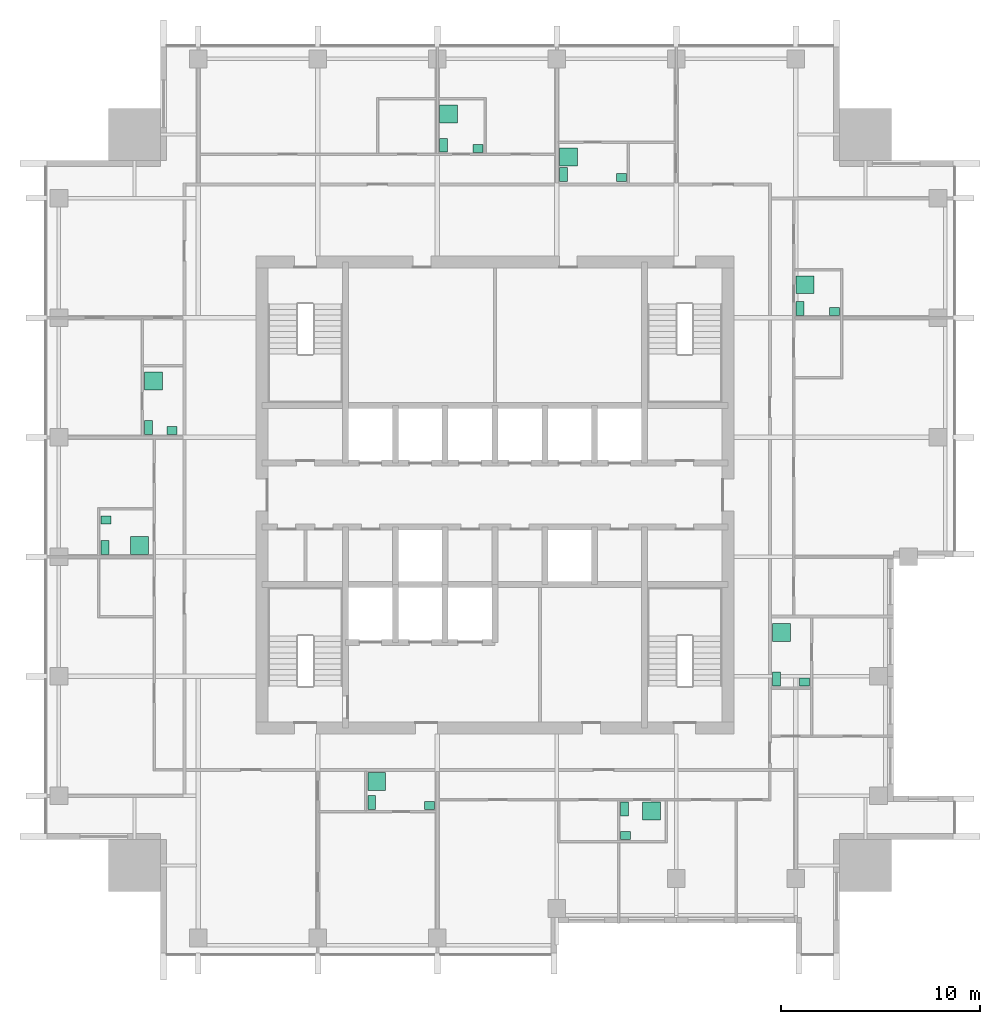
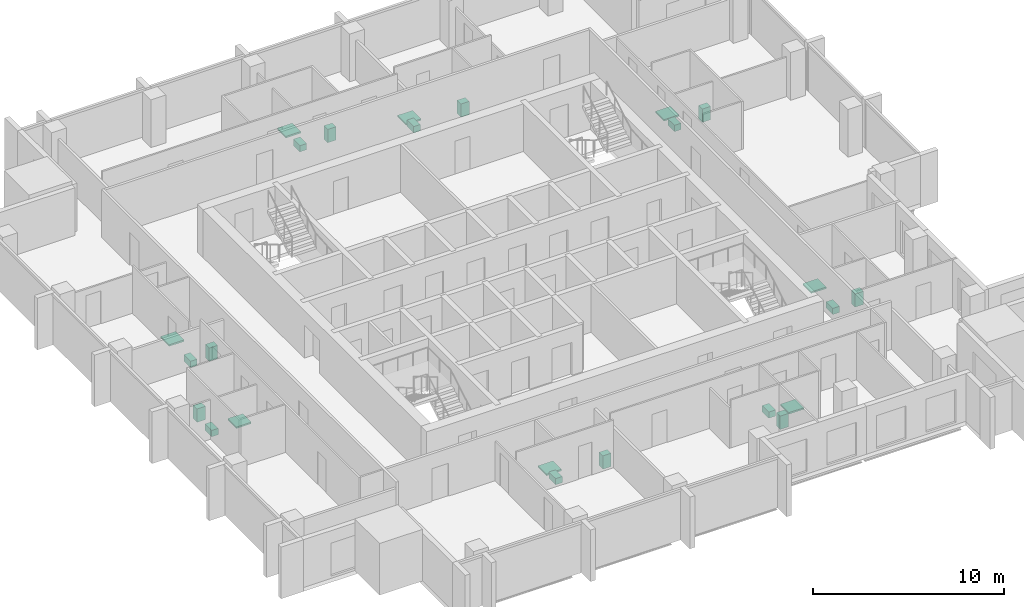
# One storey, part 10 of 10: 24 sanitary terminals.
"""IFC4 building model written with IfcOpenShell, lengths in metres."""

from ifc_helpers import new_model, si_unit, direction, frame, origin, origin_2d, place, context, subcontext, project, spatial, rectangle, extrude, element, save


model = new_model("IFC4")

# Units and contexts
model_context = context("Model", 3, precision=1e-05, world=origin(), true_north=direction((0.0, 1.0)))
body_context = subcontext(model_context, "Body", "Model", "MODEL_VIEW")
ifc_project = project(units=[si_unit("LENGTHUNIT", "METRE"), si_unit("AREAUNIT", "SQUARE_METRE"), si_unit("VOLUMEUNIT", "CUBIC_METRE"), si_unit("PLANEANGLEUNIT", "RADIAN"), si_unit("MASSUNIT", "GRAM", prefix="KILO")], contexts=[model_context])

# Site, building, storey
site_placement = place(None, origin())
site = spatial("IfcSite", under=ifc_project, at=site_placement, CompositionType="ELEMENT")
building_placement = place(site_placement, origin())
building = spatial("IfcBuilding", under=site, at=building_placement, Name="Amberfall Residences", CompositionType="ELEMENT")
storey_placement = place(building_placement, frame((0.0, 0.0, 213.39990234375)))
storey = spatial("IfcBuildingStorey", under=building, at=storey_placement, Name="L57", CompositionType="ELEMENT", Elevation=213.39990234375)

# Sanitary terminals
sanitary_terminal_1_placement = place(storey_placement, frame((68.31005859375, 30.06005859375, 0.000244140625), z_axis=(0.0, 0.0, 1.0), x_axis=(1.0, 0.0, 0.0)))
element("IfcSanitaryTerminal", 1, at=sanitary_terminal_1_placement, inside=storey, Name="Water closet 5701", PredefinedType="TOILETPAN", context=body_context, shape_type="SweptSolid", body=[
    extrude(rectangle(XDim=0.39990234375, YDim=0.699951171875, at=origin_2d()), origin(), (0.0, 0.0, 1.0), 0.39990234375),
])
sanitary_terminal_2_placement = place(storey_placement, frame((71.215087890625, 29.909912109375, 0.0), z_axis=(0.0, 0.0, 1.0), x_axis=(1.0, 0.0, 0.0)))
element("IfcSanitaryTerminal", 2, at=sanitary_terminal_2_placement, inside=storey, Name="Basin 5701", PredefinedType="WASHHANDBASIN", context=body_context, shape_type="SweptSolid", body=[
    extrude(rectangle(XDim=0.5, YDim=0.39990234375, at=origin_2d()), origin(), (0.0, 0.0, 1.0), 0.85009765625),
])
sanitary_terminal_3_placement = place(storey_placement, frame((68.56005859375, 31.114990234375, 0.0), z_axis=(0.0, 0.0, 1.0), x_axis=(1.0, 0.0, 0.0)))
element("IfcSanitaryTerminal", 3, at=sanitary_terminal_3_placement, inside=storey, Name="Shower tray 5701", PredefinedType="SHOWER", context=body_context, shape_type="SweptSolid", body=[
    extrude(rectangle(XDim=0.89990234375, YDim=0.89990234375, at=origin_2d()), origin(), (0.0, 0.0, 1.0), 0.10009765625),
])
sanitary_terminal_4_placement = place(storey_placement, frame((81.010009765625, 29.739990234375, 0.000244140625), z_axis=(0.0, 0.0, 1.0), x_axis=(1.0, 0.0, 0.0)))
element("IfcSanitaryTerminal", 4, at=sanitary_terminal_4_placement, inside=storey, Name="Water closet 5702", PredefinedType="TOILETPAN", context=body_context, shape_type="SweptSolid", body=[
    extrude(rectangle(XDim=0.39990234375, YDim=0.699951171875, at=origin_2d()), origin(), (0.0, 0.0, 1.0), 0.39990234375),
])
sanitary_terminal_5_placement = place(storey_placement, frame((81.06005859375, 28.409912109375, 0.0), z_axis=(0.0, 0.0, 1.0), x_axis=(1.0, 0.0, 0.0)))
element("IfcSanitaryTerminal", 5, at=sanitary_terminal_5_placement, inside=storey, Name="Basin 5702", PredefinedType="WASHHANDBASIN", context=body_context, shape_type="SweptSolid", body=[
    extrude(rectangle(XDim=0.5, YDim=0.39990234375, at=origin_2d()), origin(), (0.0, 0.0, 1.0), 0.85009765625),
])
sanitary_terminal_6_placement = place(storey_placement, frame((82.357177734375, 29.639892578125, 0.0), z_axis=(0.0, 0.0, 1.0), x_axis=(1.0, 0.0, 0.0)))
element("IfcSanitaryTerminal", 6, at=sanitary_terminal_6_placement, inside=storey, Name="Shower tray 5702", PredefinedType="SHOWER", context=body_context, shape_type="SweptSolid", body=[
    extrude(rectangle(XDim=0.89990234375, YDim=0.89990234375, at=origin_2d()), origin(), (0.0, 0.0, 1.0), 0.10009765625),
])
sanitary_terminal_7_placement = place(storey_placement, frame((88.635009765625, 36.260009765625, 0.000244140625), z_axis=(0.0, 0.0, 1.0), x_axis=(1.0, 0.0, 0.0)))
element("IfcSanitaryTerminal", 7, at=sanitary_terminal_7_placement, inside=storey, Name="Water closet 5703", PredefinedType="TOILETPAN", context=body_context, shape_type="SweptSolid", body=[
    extrude(rectangle(XDim=0.39990234375, YDim=0.699951171875, at=origin_2d()), origin(), (0.0, 0.0, 1.0), 0.39990234375),
])
sanitary_terminal_8_placement = place(storey_placement, frame((90.0400390625, 36.110107421875, 0.0), z_axis=(0.0, 0.0, 1.0), x_axis=(1.0, 0.0, 0.0)))
element("IfcSanitaryTerminal", 8, at=sanitary_terminal_8_placement, inside=storey, Name="Basin 5703", PredefinedType="WASHHANDBASIN", context=body_context, shape_type="SweptSolid", body=[
    extrude(rectangle(XDim=0.5, YDim=0.39990234375, at=origin_2d()), origin(), (0.0, 0.0, 1.0), 0.85009765625),
])
sanitary_terminal_9_placement = place(storey_placement, frame((88.885009765625, 38.591796875, 0.0), z_axis=(0.0, 0.0, 1.0), x_axis=(1.0, 0.0, 0.0)))
element("IfcSanitaryTerminal", 9, at=sanitary_terminal_9_placement, inside=storey, Name="Shower tray 5703", PredefinedType="SHOWER", context=body_context, shape_type="SweptSolid", body=[
    extrude(rectangle(XDim=0.89990234375, YDim=0.89990234375, at=origin_2d()), origin(), (0.0, 0.0, 1.0), 0.10009765625),
])
sanitary_terminal_10_placement = place(storey_placement, frame((89.81005859375, 54.860107421875, 0.000244140625), z_axis=(0.0, 0.0, 1.0), x_axis=(1.0, 0.0, 0.0)))
element("IfcSanitaryTerminal", 10, at=sanitary_terminal_10_placement, inside=storey, Name="Water closet 5704", PredefinedType="TOILETPAN", context=body_context, shape_type="SweptSolid", body=[
    extrude(rectangle(XDim=0.39990234375, YDim=0.699951171875, at=origin_2d()), origin(), (0.0, 0.0, 1.0), 0.39990234375),
])
sanitary_terminal_11_placement = place(storey_placement, frame((91.5400390625, 54.7099609375, 0.0), z_axis=(0.0, 0.0, 1.0), x_axis=(1.0, 0.0, 0.0)))
element("IfcSanitaryTerminal", 11, at=sanitary_terminal_11_placement, inside=storey, Name="Basin 5704", PredefinedType="WASHHANDBASIN", context=body_context, shape_type="SweptSolid", body=[
    extrude(rectangle(XDim=0.5, YDim=0.39990234375, at=origin_2d()), origin(), (0.0, 0.0, 1.0), 0.85009765625),
])
sanitary_terminal_12_placement = place(storey_placement, frame((90.06005859375, 56.05712890625, 0.0), z_axis=(0.0, 0.0, 1.0), x_axis=(1.0, 0.0, 0.0)))
element("IfcSanitaryTerminal", 12, at=sanitary_terminal_12_placement, inside=storey, Name="Shower tray 5704", PredefinedType="SHOWER", context=body_context, shape_type="SweptSolid", body=[
    extrude(rectangle(XDim=0.89990234375, YDim=0.89990234375, at=origin_2d()), origin(), (0.0, 0.0, 1.0), 0.10009765625),
])
sanitary_terminal_13_placement = place(storey_placement, frame((71.909912109375, 63.06005859375, 0.000244140625), z_axis=(0.0, 0.0, 1.0), x_axis=(1.0, 0.0, 0.0)))
element("IfcSanitaryTerminal", 13, at=sanitary_terminal_13_placement, inside=storey, Name="Water closet 5705", PredefinedType="TOILETPAN", context=body_context, shape_type="SweptSolid", body=[
    extrude(rectangle(XDim=0.39990234375, YDim=0.699951171875, at=origin_2d()), origin(), (0.0, 0.0, 1.0), 0.39990234375),
])
sanitary_terminal_14_placement = place(storey_placement, frame((73.639892578125, 62.909912109375, 0.0), z_axis=(0.0, 0.0, 1.0), x_axis=(1.0, 0.0, 0.0)))
element("IfcSanitaryTerminal", 14, at=sanitary_terminal_14_placement, inside=storey, Name="Basin 5705", PredefinedType="WASHHANDBASIN", context=body_context, shape_type="SweptSolid", body=[
    extrude(rectangle(XDim=0.5, YDim=0.39990234375, at=origin_2d()), origin(), (0.0, 0.0, 1.0), 0.85009765625),
])
sanitary_terminal_15_placement = place(storey_placement, frame((72.159912109375, 64.6298828125, 0.0), z_axis=(0.0, 0.0, 1.0), x_axis=(1.0, 0.0, 0.0)))
element("IfcSanitaryTerminal", 15, at=sanitary_terminal_15_placement, inside=storey, Name="Shower tray 5705", PredefinedType="SHOWER", context=body_context, shape_type="SweptSolid", body=[
    extrude(rectangle(XDim=0.89990234375, YDim=0.89990234375, at=origin_2d()), origin(), (0.0, 0.0, 1.0), 0.10009765625),
])
sanitary_terminal_16_placement = place(storey_placement, frame((77.93505859375, 61.5849609375, 0.000244140625), z_axis=(0.0, 0.0, 1.0), x_axis=(1.0, 0.0, 0.0)))
element("IfcSanitaryTerminal", 16, at=sanitary_terminal_16_placement, inside=storey, Name="Water closet 5706", PredefinedType="TOILETPAN", context=body_context, shape_type="SweptSolid", body=[
    extrude(rectangle(XDim=0.39990234375, YDim=0.699951171875, at=origin_2d()), origin(), (0.0, 0.0, 1.0), 0.39990234375),
])
sanitary_terminal_17_placement = place(storey_placement, frame((80.840087890625, 61.43505859375, 0.0), z_axis=(0.0, 0.0, 1.0), x_axis=(1.0, 0.0, 0.0)))
element("IfcSanitaryTerminal", 17, at=sanitary_terminal_17_placement, inside=storey, Name="Basin 5706", PredefinedType="WASHHANDBASIN", context=body_context, shape_type="SweptSolid", body=[
    extrude(rectangle(XDim=0.5, YDim=0.39990234375, at=origin_2d()), origin(), (0.0, 0.0, 1.0), 0.85009765625),
])
sanitary_terminal_18_placement = place(storey_placement, frame((78.18505859375, 62.480712890625, 0.0), z_axis=(0.0, 0.0, 1.0), x_axis=(1.0, 0.0, 0.0)))
element("IfcSanitaryTerminal", 18, at=sanitary_terminal_18_placement, inside=storey, Name="Shower tray 5706", PredefinedType="SHOWER", context=body_context, shape_type="SweptSolid", body=[
    extrude(rectangle(XDim=0.89990234375, YDim=0.89990234375, at=origin_2d()), origin(), (0.0, 0.0, 1.0), 0.10009765625),
])
sanitary_terminal_19_placement = place(storey_placement, frame((54.909912109375, 42.860107421875, 0.000244140625), z_axis=(0.0, 0.0, 1.0), x_axis=(1.0, 0.0, 0.0)))
element("IfcSanitaryTerminal", 19, at=sanitary_terminal_19_placement, inside=storey, Name="Water closet 5707", PredefinedType="TOILETPAN", context=body_context, shape_type="SweptSolid", body=[
    extrude(rectangle(XDim=0.39990234375, YDim=0.699951171875, at=origin_2d()), origin(), (0.0, 0.0, 1.0), 0.39990234375),
])
sanitary_terminal_20_placement = place(storey_placement, frame((54.9599609375, 44.235595703125, 0.0), z_axis=(0.0, 0.0, 1.0), x_axis=(1.0, 0.0, 0.0)))
element("IfcSanitaryTerminal", 20, at=sanitary_terminal_20_placement, inside=storey, Name="Basin 5707", PredefinedType="WASHHANDBASIN", context=body_context, shape_type="SweptSolid", body=[
    extrude(rectangle(XDim=0.5, YDim=0.39990234375, at=origin_2d()), origin(), (0.0, 0.0, 1.0), 0.85009765625),
])
sanitary_terminal_21_placement = place(storey_placement, frame((56.6533203125, 42.9599609375, 0.0), z_axis=(0.0, 0.0, 1.0), x_axis=(1.0, 0.0, 0.0)))
element("IfcSanitaryTerminal", 21, at=sanitary_terminal_21_placement, inside=storey, Name="Shower tray 5707", PredefinedType="SHOWER", context=body_context, shape_type="SweptSolid", body=[
    extrude(rectangle(XDim=0.89990234375, YDim=0.89990234375, at=origin_2d()), origin(), (0.0, 0.0, 1.0), 0.10009765625),
])
sanitary_terminal_22_placement = place(storey_placement, frame((57.110107421875, 48.885009765625, 0.000244140625), z_axis=(0.0, 0.0, 1.0), x_axis=(1.0, 0.0, 0.0)))
element("IfcSanitaryTerminal", 22, at=sanitary_terminal_22_placement, inside=storey, Name="Water closet 5708", PredefinedType="TOILETPAN", context=body_context, shape_type="SweptSolid", body=[
    extrude(rectangle(XDim=0.39990234375, YDim=0.699951171875, at=origin_2d()), origin(), (0.0, 0.0, 1.0), 0.39990234375),
])
sanitary_terminal_23_placement = place(storey_placement, frame((58.2890625, 48.735107421875, 0.0), z_axis=(0.0, 0.0, 1.0), x_axis=(1.0, 0.0, 0.0)))
element("IfcSanitaryTerminal", 23, at=sanitary_terminal_23_placement, inside=storey, Name="Basin 5708", PredefinedType="WASHHANDBASIN", context=body_context, shape_type="SweptSolid", body=[
    extrude(rectangle(XDim=0.5, YDim=0.39990234375, at=origin_2d()), origin(), (0.0, 0.0, 1.0), 0.85009765625),
])
sanitary_terminal_24_placement = place(storey_placement, frame((57.360107421875, 51.216796875, 0.0), z_axis=(0.0, 0.0, 1.0), x_axis=(1.0, 0.0, 0.0)))
element("IfcSanitaryTerminal", 24, at=sanitary_terminal_24_placement, inside=storey, Name="Shower tray 5708", PredefinedType="SHOWER", context=body_context, shape_type="SweptSolid", body=[
    extrude(rectangle(XDim=0.89990234375, YDim=0.89990234375, at=origin_2d()), origin(), (0.0, 0.0, 1.0), 0.10009765625),
])

save(model, "model.ifc")
